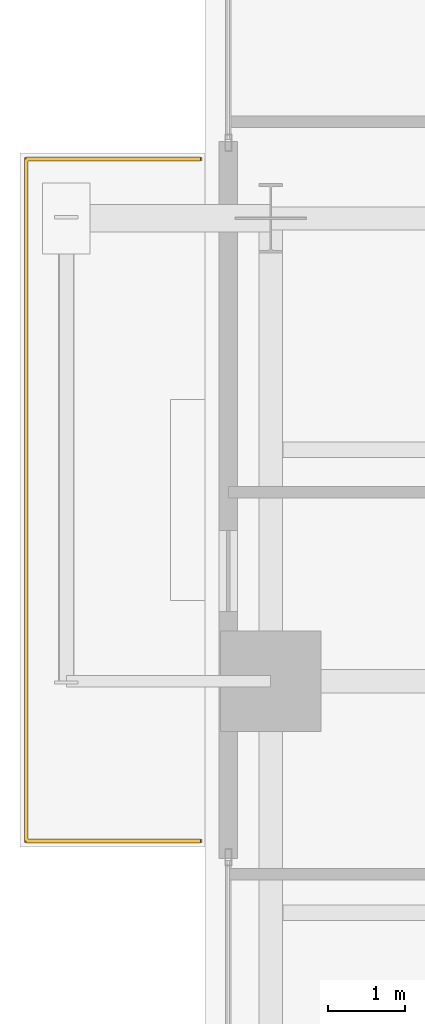
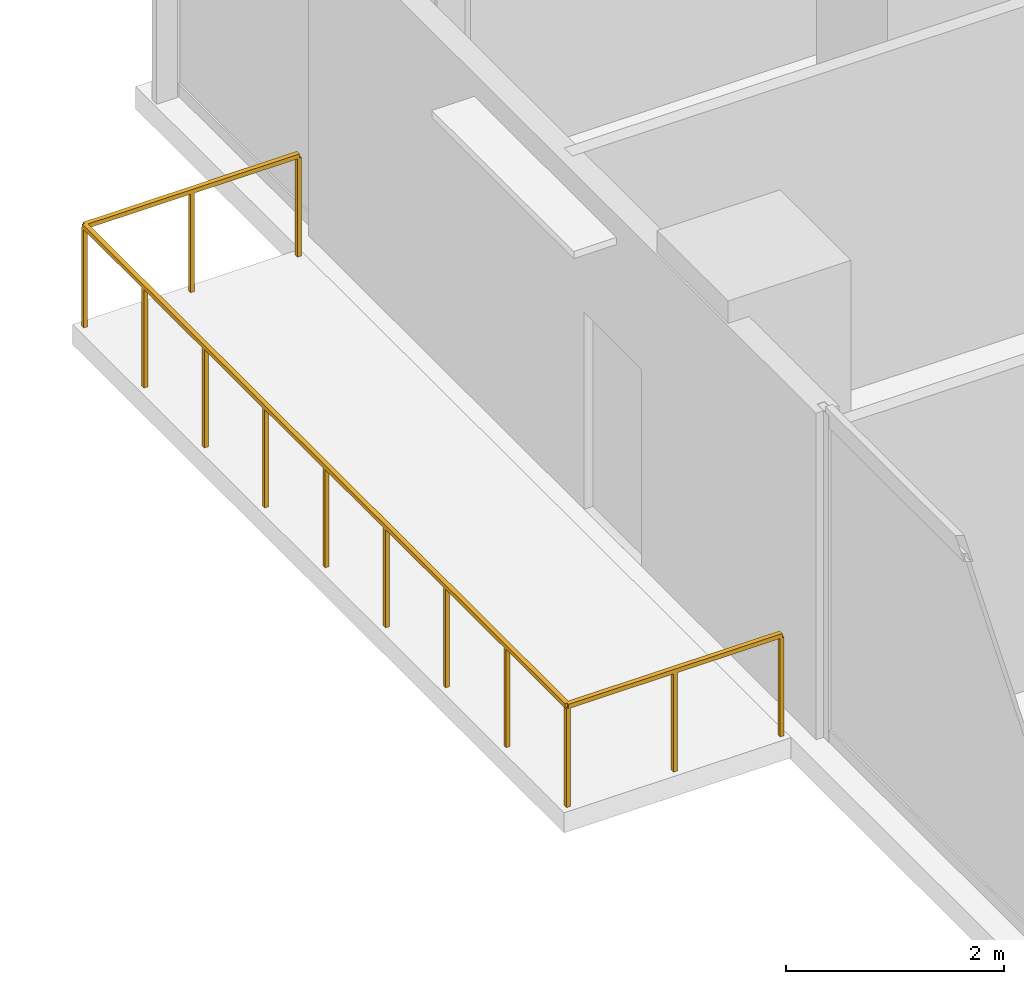
# One storey, part 27 of 27: 1 railing.
"""IFC4 building model written with IfcOpenShell, lengths in metres."""

import ifcopenshell
import ifcopenshell.guid

model = None  # the IFC model being written
_history = None  # IfcOwnerHistory: only IFC2X3 demands one
_inside = {}  # id of a spatial element -> (the spatial element, [elements in it])
_under = {}  # id of a project, library or spatial element -> (it, [spatial elements below it])
_declared = {}  # id of a project -> (the project, [libraries it declares])
_typed = {}  # id of a type object -> (the type object, [elements of that type])
_made_of = {}  # id of a material, layer set ... -> (it, [elements and type objects made of it])


def new_model(schema):
    """Start an empty IFC model of exactly this schema.

    Asked for "IFC4X3", IfcOpenShell would pick the latest addendum, in which some entities
    have other attributes; the version numbers below select the first issue.
    IFC2X3 requires an IfcOwnerHistory on every rooted entity: one is made here for all.
    """
    global model, _history
    if schema == "IFC4X3":
        model = ifcopenshell.file(schema_version=(4, 3, 0, 0))
    else:
        model = ifcopenshell.file(schema=schema)
    _inside.clear()
    _under.clear()
    _declared.clear()
    _typed.clear()
    _made_of.clear()
    _history = None
    if model.schema == "IFC2X3":
        org = make("IfcOrganization", Name="unknown")
        user = make(
            "IfcPersonAndOrganization",
            ThePerson=make("IfcPerson", FamilyName="unknown"),
            TheOrganization=org,
        )
        app = make(
            "IfcApplication",
            ApplicationDeveloper=org,
            Version="unknown",
            ApplicationFullName="unknown",
            ApplicationIdentifier="unknown",
        )
        _history = make(
            "IfcOwnerHistory",
            OwningUser=user,
            OwningApplication=app,
            ChangeAction="ADDED",
            CreationDate=0,
        )
    return model


def make(cls, **values):
    """One entity of the class cls with the attributes given. An attribute that is None is left unset."""
    return model.create_entity(
        cls, **{name: value for name, value in values.items() if value is not None}
    )


def rooted(cls, **values):
    """An entity with a GlobalId (a new one), such as an element, a storey or a relation."""
    return make(cls, GlobalId=ifcopenshell.guid.new(), OwnerHistory=_history, **values)


def si_unit(unit_type, name, prefix=None):
    """IfcSIUnit, for example si_unit("LENGTHUNIT", "METRE", prefix="MILLI")."""
    return make("IfcSIUnit", UnitType=unit_type, Prefix=prefix, Name=name)


def assignment(units):
    """IfcUnitAssignment: the units of a project."""
    return None if units is None else make("IfcUnitAssignment", Units=units)


def point(xyz):
    """IfcCartesianPoint."""
    return None if xyz is None else make("IfcCartesianPoint", Coordinates=xyz)


def direction(xyz):
    """IfcDirection."""
    return None if xyz is None else make("IfcDirection", DirectionRatios=xyz)


def frame(location, z_axis=None, x_axis=None):
    """IfcAxis2Placement3D, a coordinate frame: its origin and axes. An axis left out is left unset."""
    return make(
        "IfcAxis2Placement3D",
        Location=point(location),
        Axis=direction(z_axis),
        RefDirection=direction(x_axis),
    )


def frame_2d(location, x_axis=None):
    """IfcAxis2Placement2D, a coordinate frame in the plane: its origin and x axis."""
    return make(
        "IfcAxis2Placement2D", Location=point(location), RefDirection=direction(x_axis)
    )


def origin():
    """The frame at (0, 0, 0) with its axes left unset."""
    return frame((0.0, 0.0, 0.0))


def origin_2d():
    """The frame at (0, 0) in the plane with its x axis left unset."""
    return frame_2d((0.0, 0.0))


def place(relative_to, where):
    """IfcLocalPlacement: puts the frame where relative to a parent placement (None: the world)."""
    return make(
        "IfcLocalPlacement", PlacementRelTo=relative_to, RelativePlacement=where
    )


def context(
    kind, dimensions, precision=None, world=None, true_north=None, identifier=None
):
    """IfcGeometricRepresentationContext, for example the 3D "Model" context."""
    return make(
        "IfcGeometricRepresentationContext",
        ContextIdentifier=identifier,
        ContextType=kind,
        CoordinateSpaceDimension=dimensions,
        Precision=precision,
        WorldCoordinateSystem=world,
        TrueNorth=true_north,
    )


def subcontext(parent, identifier, kind, view, scale=None):
    """IfcGeometricRepresentationSubContext, for example "Body" below "Model"."""
    return make(
        "IfcGeometricRepresentationSubContext",
        ContextIdentifier=identifier,
        ContextType=kind,
        ParentContext=parent,
        TargetScale=scale,
        TargetView=view,
    )


def project(units=None, contexts=None):
    """IfcProject with its units and contexts."""
    return rooted(
        "IfcProject",
        Name="project",
        RepresentationContexts=contexts,
        UnitsInContext=assignment(units),
    )


def spatial(cls, under=None, at=None, **own):
    """A site, building, storey or space (cls), placed at a placement, below another one or the project."""
    s = rooted(cls, ObjectPlacement=at, **own)
    if under is not None:
        _under.setdefault(under.id(), (under, []))[1].append(s)
    return s


def profile(cls, at=None, kind="AREA", **sizes):
    """A parametric profile (cls). Its sizes go by their IFC names, for example OverallWidth=200.0."""
    return make(cls, ProfileType=kind, Position=at, **sizes)


def rectangle(**sizes):
    """IfcRectangleProfileDef."""
    return profile("IfcRectangleProfileDef", **sizes)


def extrude(swept, where, along, depth):
    """IfcExtrudedAreaSolid: the profile swept, set in the frame where, extruded along a direction by depth."""
    return make(
        "IfcExtrudedAreaSolid",
        SweptArea=swept,
        Position=where,
        ExtrudedDirection=direction(along),
        Depth=depth,
    )


def shape(context_of_items, identifier, shape_type, items):
    """IfcShapeRepresentation: the items that make up one representation, for example the "Body"."""
    return make(
        "IfcShapeRepresentation",
        ContextOfItems=context_of_items,
        RepresentationIdentifier=identifier,
        RepresentationType=shape_type,
        Items=items,
    )


def material(Name=None, Category=None):
    """IfcMaterial."""
    return make("IfcMaterial", Name=Name, Category=Category)


def made_of(thing, what):
    """Note that an element or type object is made of a material, layer set ...; save() writes the relation."""
    if what is not None:
        _made_of.setdefault(what.id(), (what, []))[1].append(thing)
    return thing


def type_object(cls, material=None, **own):
    """A type object (cls), such as IfcWallType, which elements share."""
    return made_of(rooted(cls, **own), material)


def element(
    cls,
    number,
    at=None,
    inside=None,
    cuts=None,
    type_object=None,
    material=None,
    context=None,
    identifier="Body",
    shape_type=None,
    held_by="IfcProductDefinitionShape",
    body=None,
    shapes=None,
    **own,
):
    """One element of the class cls, such as IfcWall. Its Tag is "e" and its number.

    at: its placement. inside: the storey or other place that contains it. cuts: it is an
    opening in that element (IfcRelVoidsElement). A single representation is given by context,
    identifier, shape_type and body (its items); several are given by shapes. held_by: the class
    of the entity that holds the representations. save() writes the other relations.
    """
    e = rooted(cls, Tag="e%d" % number, ObjectPlacement=at, **own)
    if body is not None:
        shapes = [shape(context, identifier, shape_type, body)]
    if shapes is not None:
        e.Representation = make(held_by, Representations=shapes)
    if inside is not None:
        _inside.setdefault(inside.id(), (inside, []))[1].append(e)
    if cuts is not None:
        rooted(
            "IfcRelVoidsElement", RelatingBuildingElement=cuts, RelatedOpeningElement=e
        )
    if type_object is not None:
        _typed.setdefault(type_object.id(), (type_object, []))[1].append(e)
    return made_of(e, material)


def aggregate(whole, parts):
    """IfcRelAggregates: a whole, such as a stair, and the parts it consists of."""
    return rooted("IfcRelAggregates", RelatingObject=whole, RelatedObjects=parts)


def save(model, path):
    """Write the relations noted so far, then the file.

    IfcRelAggregates (storeys below a building ...), IfcRelContainedInSpatialStructure (elements
    in a storey), IfcRelDefinesByType, IfcRelAssociatesMaterial and IfcRelDeclares: one each for
    every whole, place, type object, material and project.
    """
    for whole, parts in _under.values():
        aggregate(whole, parts)
    for where, things in _inside.values():
        rooted(
            "IfcRelContainedInSpatialStructure",
            RelatedElements=things,
            RelatingStructure=where,
        )
    for kind, things in _typed.values():
        rooted("IfcRelDefinesByType", RelatedObjects=things, RelatingType=kind)
    for what, things in _made_of.values():
        rooted("IfcRelAssociatesMaterial", RelatedObjects=things, RelatingMaterial=what)
    for by, libraries in _declared.values():
        rooted("IfcRelDeclares", RelatingContext=by, RelatedDefinitions=libraries)
    model.write(path)


model = new_model("IFC4")

# Units and contexts
model_context = context("Model", 3, precision=1e-05, world=origin(), true_north=direction((0.0, 1.0)))
body_context = subcontext(model_context, "Body", "Model", "MODEL_VIEW")
ifc_project = project(units=[si_unit("LENGTHUNIT", "METRE"), si_unit("AREAUNIT", "SQUARE_METRE"), si_unit("VOLUMEUNIT", "CUBIC_METRE"), si_unit("PLANEANGLEUNIT", "RADIAN"), si_unit("MASSUNIT", "GRAM", prefix="KILO"), si_unit("THERMODYNAMICTEMPERATUREUNIT", "KELVIN"), si_unit("POWERUNIT", "WATT")], contexts=[model_context])

# Site, building, storey
site_placement = place(None, origin())
site = spatial("IfcSite", under=ifc_project, at=site_placement, CompositionType="ELEMENT")
building_placement = place(site_placement, origin())
building = spatial("IfcBuilding", under=site, at=building_placement, Name="Svarakhadi Broadcast Tower", CompositionType="ELEMENT")
storey_placement = place(building_placement, frame((0.0, 0.0, 55.800048828125)))
storey = spatial("IfcBuildingStorey", under=building, at=storey_placement, Name="L12", CompositionType="ELEMENT", Elevation=55.800048828125)

# Railing
ifc_material = material(Name="Laminated Structural SentryGlas Balustrade 25.5 mm", Category="glass")
railing_type = type_object("IfcRailingType", Name="Guard_Balcony_GR01", PredefinedType="BALUSTRADE", material=ifc_material)
railing_placement = place(storey_placement, frame((-0.06005859375, 33.080078125, 0.0)))
element("IfcRailing", 1, at=railing_placement, inside=storey, type_object=railing_type, Name="L12 West Tree Balcony Guard GR-05", PredefinedType="BALUSTRADE", context=body_context, shape_type="SweptSolid", body=[
    extrude(rectangle(XDim=0.048095703125, YDim=0.048095703125, at=origin_2d()), frame((0.0, 0.0, 1.1259765625), z_axis=(-1.0, 0.0, 0.0), x_axis=(0.0, -1.0, 0.0)), (0.0, 0.0, 1.0), 2.260009765625),
    extrude(rectangle(XDim=0.048095703125, YDim=0.048095703125, at=origin_2d()), frame((-2.260009765625, 0.0, 1.1259765625), z_axis=(0.0, 1.0, 0.0), x_axis=(-1.0, 0.0, 0.0)), (0.0, 0.0, 1.0), 8.83984375),
    extrude(rectangle(XDim=0.048095703125, YDim=0.048095703125, at=origin_2d()), frame((-2.260009765625, 8.83984375, 1.1259765625), z_axis=(1.0, 0.0, 0.0), x_axis=(0.0, 1.0, 0.0)), (0.0, 0.0, 1.0), 2.260009765625),
    extrude(rectangle(XDim=0.0419921875, YDim=0.0419921875, at=origin_2d()), origin(), (0.0, 0.0, 1.0), 1.101806640625),
    extrude(rectangle(XDim=0.0419921875, YDim=0.0419921875, at=origin_2d()), frame((-1.1298828125, 0.0, 0.0)), (0.0, 0.0, 1.0), 1.101806640625),
    extrude(rectangle(XDim=0.0419921875, YDim=0.0419921875, at=origin_2d()), frame((-2.260009765625, 0.0, 0.0)), (0.0, 0.0, 1.0), 1.101806640625),
    extrude(rectangle(XDim=0.0419921875, YDim=0.0419921875, at=origin_2d()), frame((-2.260009765625, 1.10498046875, 0.0)), (0.0, 0.0, 1.0), 1.101806640625),
    extrude(rectangle(XDim=0.0419921875, YDim=0.0419921875, at=origin_2d()), frame((-2.260009765625, 2.2099609375, 0.0)), (0.0, 0.0, 1.0), 1.101806640625),
    extrude(rectangle(XDim=0.0419921875, YDim=0.0419921875, at=origin_2d()), frame((-2.260009765625, 3.31494140625, 0.0)), (0.0, 0.0, 1.0), 1.101806640625),
    extrude(rectangle(XDim=0.0419921875, YDim=0.0419921875, at=origin_2d()), frame((-2.260009765625, 4.419921875, 0.0)), (0.0, 0.0, 1.0), 1.101806640625),
    extrude(rectangle(XDim=0.0419921875, YDim=0.0419921875, at=origin_2d()), frame((-2.260009765625, 5.52490234375, 0.0)), (0.0, 0.0, 1.0), 1.101806640625),
    extrude(rectangle(XDim=0.0419921875, YDim=0.0419921875, at=origin_2d()), frame((-2.260009765625, 6.6298828125, 0.0)), (0.0, 0.0, 1.0), 1.101806640625),
    extrude(rectangle(XDim=0.0419921875, YDim=0.0419921875, at=origin_2d()), frame((-2.260009765625, 7.73486328125, 0.0)), (0.0, 0.0, 1.0), 1.101806640625),
    extrude(rectangle(XDim=0.0419921875, YDim=0.0419921875, at=origin_2d()), frame((-2.260009765625, 8.83984375, 0.0)), (0.0, 0.0, 1.0), 1.101806640625),
    extrude(rectangle(XDim=0.0419921875, YDim=0.0419921875, at=origin_2d()), frame((-1.1298828125, 8.83984375, 0.0)), (0.0, 0.0, 1.0), 1.101806640625),
    extrude(rectangle(XDim=0.0419921875, YDim=0.0419921875, at=origin_2d()), frame((0.0, 8.83984375, 0.0)), (0.0, 0.0, 1.0), 1.101806640625),
])

save(model, "model.ifc")
